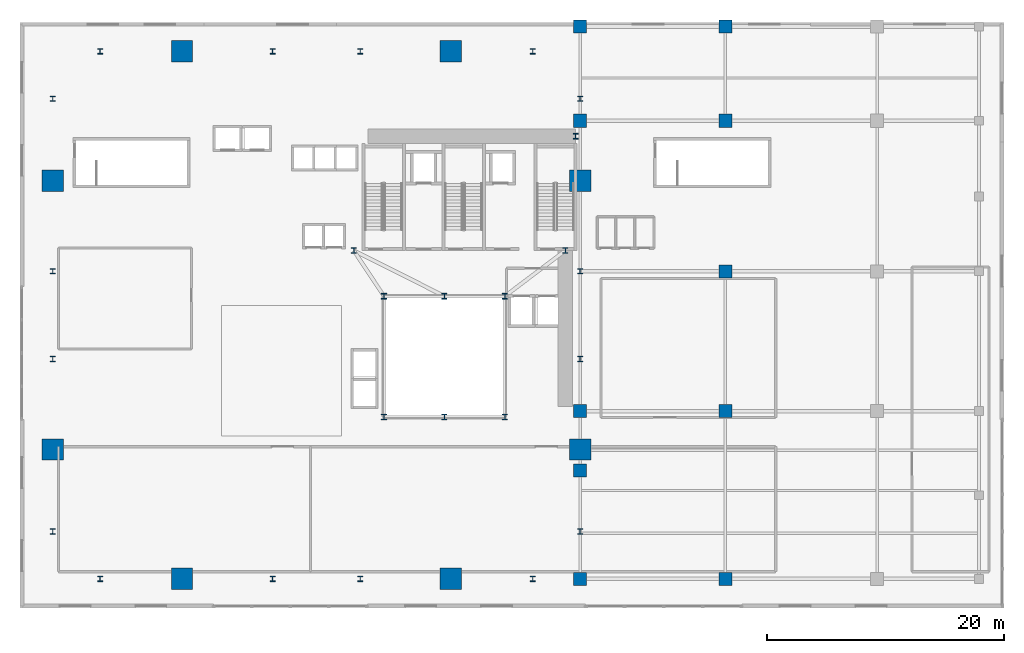
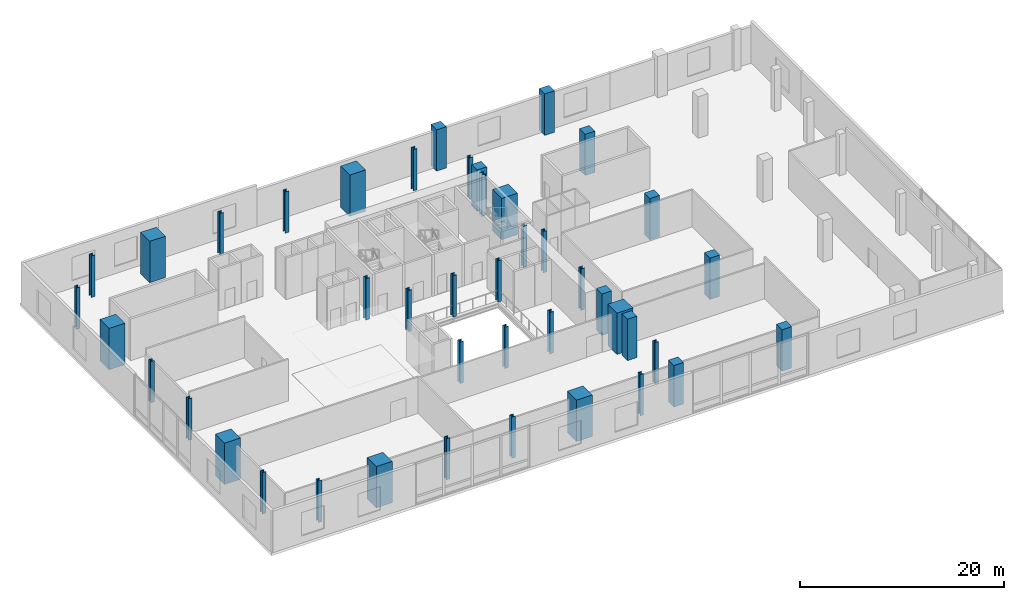
# One storey, part 1 of 13: 43 columns.
"""IFC4 building model written with IfcOpenShell, lengths in metres."""

from ifc_helpers import new_model, si_unit, direction, frame, origin, origin_2d, place, context, subcontext, project, spatial, rectangle, i_section, extrude, source, transform, mapped, material, material_profile, profile_set, type_object, element, save


model = new_model("IFC4")

# Units and contexts
model_context = context("Model", 3, precision=1e-05, world=origin(), true_north=direction((0.0, 1.0)))
body_context = subcontext(model_context, "Body", "Model", "MODEL_VIEW")
ifc_project = project(units=[si_unit("LENGTHUNIT", "METRE"), si_unit("AREAUNIT", "SQUARE_METRE"), si_unit("VOLUMEUNIT", "CUBIC_METRE"), si_unit("PLANEANGLEUNIT", "RADIAN"), si_unit("MASSUNIT", "GRAM", prefix="KILO")], contexts=[model_context])

# Site, building, storey
site_placement = place(None, origin())
site = spatial("IfcSite", under=ifc_project, at=site_placement, CompositionType="ELEMENT")
building_placement = place(site_placement, origin())
building = spatial("IfcBuilding", under=site, at=building_placement, Name="Vardaveli Station Tower", CompositionType="ELEMENT")
storey_placement = place(building_placement, frame((0.0, 0.0, 22.39990234375)))
storey = spatial("IfcBuildingStorey", under=building, at=storey_placement, Name="L05", CompositionType="ELEMENT", Elevation=22.39990234375)

# Columns
ifc_material_1 = material(Name="Structural steel S460M", Category="steel")
ifc_material_profile_1 = material_profile(ifc_material_1, i_section(OverallWidth=0.427978515625, OverallDepth=0.48095703125, WebThickness=0.03955078125, FlangeThickness=0.0634765625, FilletRadius=0.014892578125, at=origin_2d()), Name="HD 400x677")
ifc_profile_set_1 = profile_set([ifc_material_profile_1], Name="Structural steel S460M")
column_type_1 = type_object("IfcColumnType", Name="COL-HD677", PredefinedType="COLUMN", material=ifc_profile_set_1)
shared_shape_1 = source(origin(), body_context, "Body", "SweptSolid", [
    extrude(i_section(OverallWidth=0.427978515625, OverallDepth=0.48095703125, WebThickness=0.03955078125, FlangeThickness=0.0634765625, FilletRadius=0.014892578125, at=origin_2d()), origin(), (0.0, 0.0, 1.0), 4.960205078125),
])
for number, where, z_axis, x_axis, name in (
    (1, (31.199951171875, 16.60009765625, 0.0), (0.0, 0.0, 1.0), (1.0, 0.0, 0.0), "COL-L05-AC1"),
    (2, (36.300048828125, 16.60009765625, 0.0), (0.0, 0.0, 1.0), (1.0, 0.0, 0.0), "COL-L05-AC2"),
    (3, (41.39990234375, 16.60009765625, 0.0), (0.0, 0.0, 1.0), (1.0, 0.0, 0.0), "COL-L05-AC3"),
    (4, (41.39990234375, 26.800048828125, 0.0), (0.0, 0.0, 1.0), (1.0, 0.0, 0.0), "COL-L05-AC4"),
    (5, (36.300048828125, 26.800048828125, 0.0), (0.0, 0.0, 1.0), (1.0, 0.0, 0.0), "COL-L05-AC5"),
    (6, (31.199951171875, 26.800048828125, 0.0), (0.0, 0.0, 1.0), (1.0, 0.0, 0.0), "COL-L05-AC6"),
    (7, (28.64990234375, 30.64990234375, 0.0), (0.0, 0.0, 1.0), (1.0, 0.0, 0.0), "COL-L05-CC1"),
    (8, (46.5, 30.64990234375, 0.0), (0.0, 0.0, 1.0), (1.0, 0.0, 0.0), "COL-L05-CC2"),
    (9, (47.3701171875, 40.300048828125, 0.0), (0.0, 0.0, 1.0), (1.0, 0.0, 0.0), "COL-L05-CC3"),
):
    element("IfcColumn", number, at=place(storey_placement, frame(where, z_axis=z_axis, x_axis=x_axis)), inside=storey, type_object=column_type_1, Name=name, PredefinedType="COLUMN", context=body_context, shape_type="MappedRepresentation", body=[
        mapped(shared_shape_1, transform((0.0, 0.0, 0.0), scale=1.0)),
    ])
ifc_material_2 = material(Name="Concrete C60/75", Category="concrete")
ifc_material_profile_2 = material_profile(ifc_material_2, rectangle(XDim=1.10009765625, YDim=1.10009765625, at=origin_2d()), Name="RC 1100x1100")
ifc_profile_set_2 = profile_set([ifc_material_profile_2], Name="Concrete C60/75")
column_type_2 = type_object("IfcColumnType", Name="COL-RC-1100", PredefinedType="COLUMN", material=ifc_profile_set_2)
shared_shape_2 = source(origin(), body_context, "Body", "SweptSolid", [
    extrude(rectangle(XDim=1.10009765625, YDim=1.10009765625, at=origin_2d()), origin(), (0.0, 0.0, 1.0), 4.960205078125),
])
for number, where, z_axis, x_axis, name in (
    (10, (47.75, 2.949951171875, 0.0), (0.0, 0.0, 1.0), (1.0, 0.0, 0.0), "COL-L05-SC05"),
    (11, (60.0, 2.949951171875, 0.0), (0.0, 0.0, 1.0), (1.0, 0.0, 0.0), "COL-L05-SC06"),
    (12, (47.75, 12.10009765625, 0.0), (0.0, 0.0, 1.0), (1.0, 0.0, 0.0), "COL-L05-SC09"),
    (13, (47.75, 17.10009765625, 0.0), (0.0, 0.0, 1.0), (1.0, 0.0, 0.0), "COL-L05-SC13"),
    (14, (60.0, 17.10009765625, 0.0), (0.0, 0.0, 1.0), (1.0, 0.0, 0.0), "COL-L05-SC14"),
    (15, (60.0, 28.89990234375, 0.0), (0.0, 0.0, 1.0), (1.0, 0.0, 0.0), "COL-L05-SC18B"),
    (16, (47.75, 41.60009765625, 0.0), (0.0, 0.0, 1.0), (1.0, 0.0, 0.0), "COL-L05-SC25"),
    (17, (60.0, 41.60009765625, 0.0), (0.0, 0.0, 1.0), (1.0, 0.0, 0.0), "COL-L05-SC26"),
    (18, (47.75, 49.550048828125, 0.0), (0.0, 0.0, 1.0), (1.0, 0.0, 0.0), "COL-L05-SC34"),
    (19, (60.0, 49.550048828125, 0.0), (0.0, 0.0, 1.0), (1.0, 0.0, 0.0), "COL-L05-SC35"),
):
    element("IfcColumn", number, at=place(storey_placement, frame(where, z_axis=z_axis, x_axis=x_axis)), inside=storey, type_object=column_type_2, Name=name, PredefinedType="COLUMN", context=body_context, shape_type="MappedRepresentation", body=[
        mapped(shared_shape_2, transform((0.0, 0.0, 0.0), scale=1.0)),
    ])
ifc_material_3 = material(Name="Concrete C70/85", Category="concrete")
ifc_material_profile_3 = material_profile(ifc_material_3, rectangle(XDim=1.800048828125, YDim=1.800048828125, at=origin_2d()), Name="MC 1800x1800")
ifc_profile_set_3 = profile_set([ifc_material_profile_3], Name="Concrete C70/85")
column_type_3 = type_object("IfcColumnType", Name="COL-MC-1800", PredefinedType="COLUMN", material=ifc_profile_set_3)
shared_shape_3 = source(origin(), body_context, "Body", "SweptSolid", [
    extrude(rectangle(XDim=1.800048828125, YDim=1.800048828125, at=origin_2d()), origin(), (0.0, 0.0, 1.0), 4.960205078125),
])
for number, where, z_axis, x_axis, name in (
    (20, (14.159912109375, 2.949951171875, 0.0), (0.0, 0.0, 1.0), (1.0, 0.0, 0.0), "COL-L05-MC1"),
    (21, (36.840087890625, 2.949951171875, 0.0), (0.0, 0.0, 1.0), (1.0, 0.0, 0.0), "COL-L05-MC2"),
    (22, (47.75, 13.860107421875, 0.0), (0.0, 0.0, 1.0), (1.0, 0.0, 0.0), "COL-L05-MC3"),
    (23, (47.75, 36.5400390625, 0.0), (0.0, 0.0, 1.0), (1.0, 0.0, 0.0), "COL-L05-MC4"),
    (24, (36.840087890625, 47.449951171875, 0.0), (0.0, 0.0, 1.0), (1.0, 0.0, 0.0), "COL-L05-MC5"),
    (25, (14.159912109375, 47.449951171875, 0.0), (0.0, 0.0, 1.0), (1.0, 0.0, 0.0), "COL-L05-MC6"),
    (26, (3.25, 36.5400390625, 0.0), (0.0, 0.0, 1.0), (1.0, 0.0, 0.0), "COL-L05-MC7"),
    (27, (3.25, 13.860107421875, 0.0), (0.0, 0.0, 1.0), (1.0, 0.0, 0.0), "COL-L05-MC8"),
):
    element("IfcColumn", number, at=place(storey_placement, frame(where, z_axis=z_axis, x_axis=x_axis)), inside=storey, type_object=column_type_3, Name=name, PredefinedType="COLUMN", context=body_context, shape_type="MappedRepresentation", body=[
        mapped(shared_shape_3, transform((0.0, 0.0, 0.0), scale=1.0)),
    ])
ifc_material_profile_4 = material_profile(ifc_material_1, i_section(OverallWidth=0.4189453125, OverallDepth=0.448974609375, WebThickness=0.030517578125, FlangeThickness=0.04833984375, FilletRadius=0.014892578125, at=origin_2d()), Name="HD 400x509")
ifc_profile_set_4 = profile_set([ifc_material_profile_4], Name="Structural steel S460M")
column_type_4 = type_object("IfcColumnType", Name="COL-HD509", PredefinedType="COLUMN", material=ifc_profile_set_4)
shared_shape_4 = source(origin(), body_context, "Body", "SweptSolid", [
    extrude(i_section(OverallWidth=0.4189453125, OverallDepth=0.448974609375, WebThickness=0.030517578125, FlangeThickness=0.04833984375, FilletRadius=0.014892578125, at=origin_2d()), origin(), (0.0, 0.0, 1.0), 4.960205078125),
])
for number, where, z_axis, x_axis, name in (
    (28, (7.25, 2.949951171875, 0.0), (0.0, 0.0, 1.0), (1.0, 0.0, 0.0), "COL-L05-PC01"),
    (29, (21.800048828125, 2.949951171875, 0.0), (0.0, 0.0, 1.0), (1.0, 0.0, 0.0), "COL-L05-PC02"),
    (30, (29.199951171875, 2.949951171875, 0.0), (0.0, 0.0, 1.0), (1.0, 0.0, 0.0), "COL-L05-PC03"),
    (31, (43.75, 2.949951171875, 0.0), (0.0, 0.0, 1.0), (1.0, 0.0, 0.0), "COL-L05-PC04"),
    (32, (47.75, 6.949951171875, 0.0), (0.0, 0.0, 1.0), (1.0, 0.0, 0.0), "COL-L05-PC05"),
    (33, (47.75, 21.5, 0.0), (0.0, 0.0, 1.0), (1.0, 0.0, 0.0), "COL-L05-PC06"),
    (34, (47.75, 28.89990234375, 0.0), (0.0, 0.0, 1.0), (1.0, 0.0, 0.0), "COL-L05-PC07"),
    (35, (47.75, 43.449951171875, 0.0), (0.0, 0.0, 1.0), (1.0, 0.0, 0.0), "COL-L05-PC08"),
    (36, (43.75, 47.449951171875, 0.0), (0.0, 0.0, 1.0), (1.0, 0.0, 0.0), "COL-L05-PC09"),
    (37, (29.199951171875, 47.449951171875, 0.0), (0.0, 0.0, 1.0), (1.0, 0.0, 0.0), "COL-L05-PC10"),
    (38, (21.800048828125, 47.449951171875, 0.0), (0.0, 0.0, 1.0), (1.0, 0.0, 0.0), "COL-L05-PC11"),
    (39, (7.25, 47.449951171875, 0.0), (0.0, 0.0, 1.0), (1.0, 0.0, 0.0), "COL-L05-PC12"),
    (40, (3.25, 43.449951171875, 0.0), (0.0, 0.0, 1.0), (1.0, 0.0, 0.0), "COL-L05-PC13"),
    (41, (3.25, 28.89990234375, 0.0), (0.0, 0.0, 1.0), (1.0, 0.0, 0.0), "COL-L05-PC14"),
    (42, (3.25, 21.5, 0.0), (0.0, 0.0, 1.0), (1.0, 0.0, 0.0), "COL-L05-PC15"),
    (43, (3.25, 6.949951171875, 0.0), (0.0, 0.0, 1.0), (1.0, 0.0, 0.0), "COL-L05-PC16"),
):
    element("IfcColumn", number, at=place(storey_placement, frame(where, z_axis=z_axis, x_axis=x_axis)), inside=storey, type_object=column_type_4, Name=name, PredefinedType="COLUMN", context=body_context, shape_type="MappedRepresentation", body=[
        mapped(shared_shape_4, transform((0.0, 0.0, 0.0), scale=1.0)),
    ])

save(model, "model.ifc")
